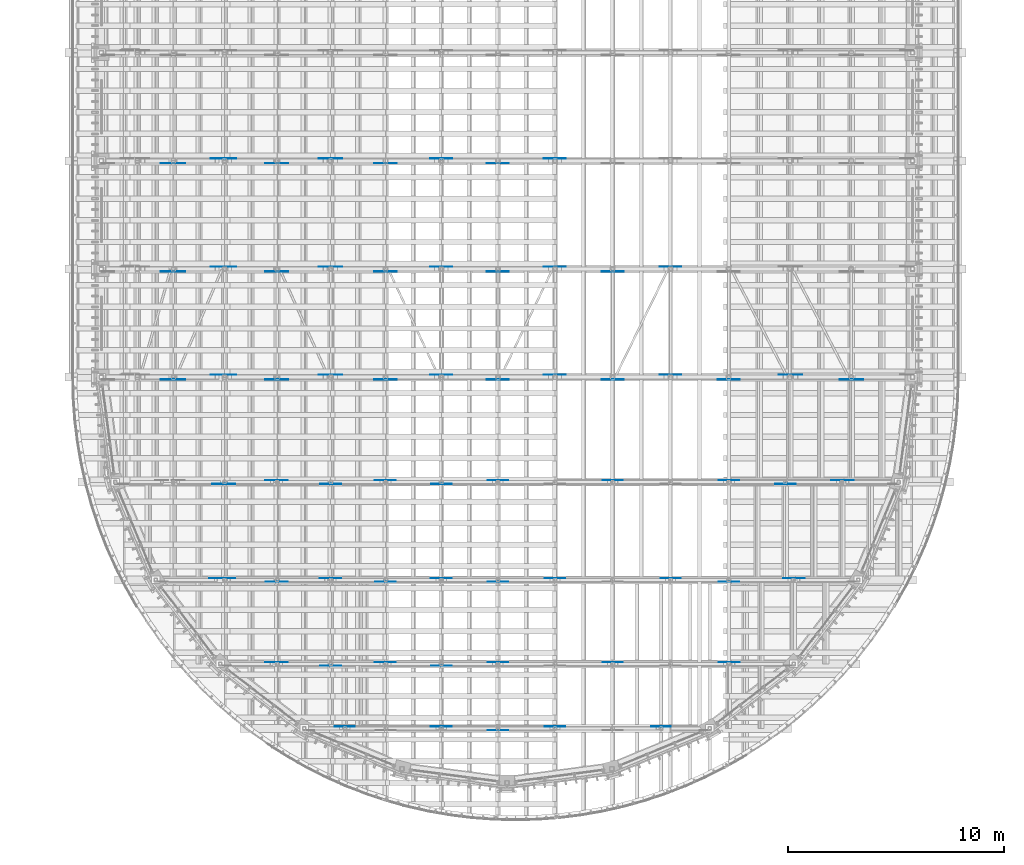
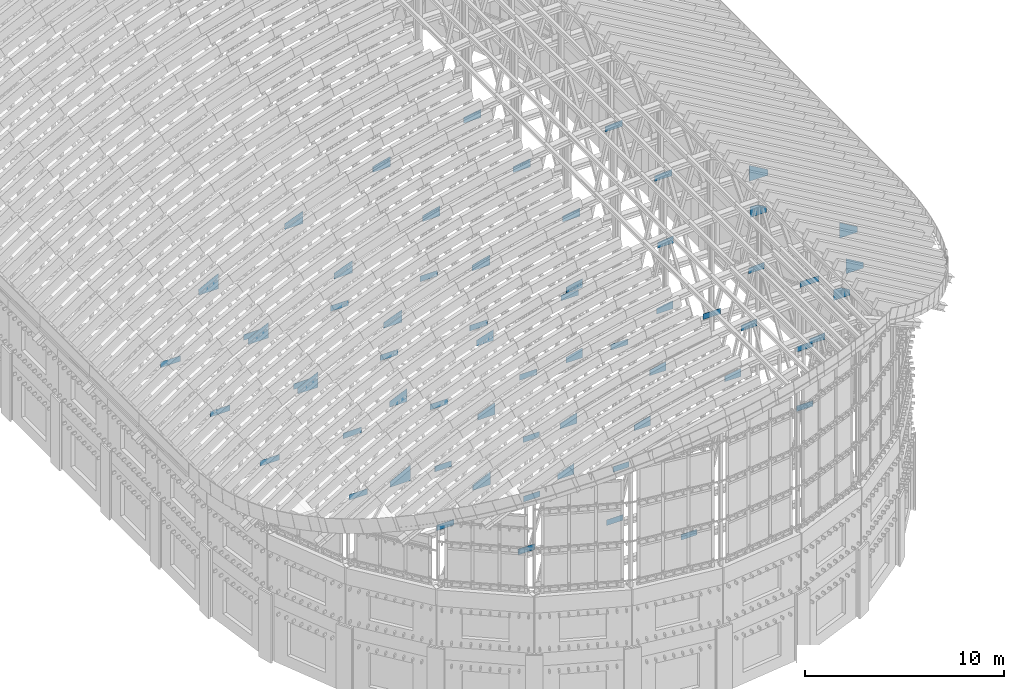
# One storey, part 61 of 105: 63 discrete accessories.
"""IFC4 building model written with IfcOpenShell, lengths in metres."""

from ifc_helpers import new_model, si_unit, direction, frame, origin, place, context, subcontext, project, spatial, polyline, outline, extrude, element, save


model = new_model("IFC4")

# Units and contexts
model_context = context("Model", 3, precision=1e-05, world=origin(), true_north=direction((0.0, 1.0)))
body_context = subcontext(model_context, "Body", "Model", "MODEL_VIEW")
ifc_project = project(units=[si_unit("LENGTHUNIT", "METRE"), si_unit("AREAUNIT", "SQUARE_METRE"), si_unit("VOLUMEUNIT", "CUBIC_METRE"), si_unit("PLANEANGLEUNIT", "RADIAN"), si_unit("MASSUNIT", "GRAM", prefix="KILO")], contexts=[model_context])

# Site, building, storey
site_placement = place(None, origin())
site = spatial("IfcSite", under=ifc_project, at=site_placement, CompositionType="ELEMENT")
building_placement = place(site_placement, origin())
building = spatial("IfcBuilding", under=site, at=building_placement, Name="Wasatch Bagh Community Centre", CompositionType="ELEMENT")
storey_placement = place(building_placement, frame((0.0, 0.0, 16.800048828125)))
storey = spatial("IfcBuildingStorey", under=building, at=storey_placement, Name="L04", CompositionType="ELEMENT", Elevation=16.800048828125)

# Discrete accessories
discrete_accessory_1_placement = place(storey_placement, frame((19.98486328125, 34.885986328125, 8.071044921875), z_axis=(0.0, -1.0, 0.0), x_axis=(1.0, 0.0, 0.0)))
element("IfcDiscreteAccessory", 1, at=discrete_accessory_1_placement, inside=storey, Name="Gusset plate", PredefinedType="BRACKET", context=body_context, shape_type="SweptSolid", body=[
    extrude(outline(polyline([(0.0, 0.0), (1.14990234375, 0.0), (1.14990234375, 0.35009765625), (0.0, 0.35009765625), (0.0, 0.0)])), origin(), (0.0, 0.0, -1.0), 0.011962890625),
])
discrete_accessory_2_placement = place(storey_placement, frame((24.814453125, 34.885986328125, 8.071044921875), z_axis=(0.0, -1.0, 0.0), x_axis=(1.0, 0.0, 0.0)))
element("IfcDiscreteAccessory", 2, at=discrete_accessory_2_placement, inside=storey, Name="Gusset plate", PredefinedType="BRACKET", context=body_context, shape_type="SweptSolid", body=[
    extrude(outline(polyline([(0.0, 0.0), (1.083740234375, 0.0), (1.083740234375, 0.35009765625), (0.0, 0.35009765625), (0.0, 0.0)])), origin(), (0.0, 0.0, -1.0), 0.011962890625),
])
discrete_accessory_3_placement = place(storey_placement, frame((29.8701171875, 34.885986328125, 8.071044921875), z_axis=(0.0, -1.0, 0.0), x_axis=(1.0, 0.0, 0.0)))
element("IfcDiscreteAccessory", 3, at=discrete_accessory_3_placement, inside=storey, Name="Gusset plate", PredefinedType="BRACKET", context=body_context, shape_type="SweptSolid", body=[
    extrude(outline(polyline([(0.0, 0.0), (1.035888671875, 0.0), (1.035888671875, 0.35009765625), (0.0, 0.35009765625), (0.0, 0.0)])), origin(), (0.0, 0.0, -1.0), 0.011962890625),
])
discrete_accessory_4_placement = place(storey_placement, frame((35.073974609375, 34.885986328125, 8.071044921875), z_axis=(0.0, -1.0, 0.0), x_axis=(1.0, 0.0, 0.0)))
element("IfcDiscreteAccessory", 4, at=discrete_accessory_4_placement, inside=storey, Name="Gusset plate", PredefinedType="BRACKET", context=body_context, shape_type="SweptSolid", body=[
    extrude(outline(polyline([(0.0, 0.0), (1.015869140625, 0.0), (1.015869140625, 0.35009765625), (0.0, 0.35009765625), (0.0, 0.0)])), origin(), (0.0, 0.0, -1.0), 0.011962890625),
])
discrete_accessory_5_placement = place(storey_placement, frame((40.384033203125, 34.885986328125, 8.071044921875), z_axis=(0.0, -1.0, 0.0), x_axis=(1.0, 0.0, 0.0)))
element("IfcDiscreteAccessory", 5, at=discrete_accessory_5_placement, inside=storey, Name="Gusset plate", PredefinedType="BRACKET", context=body_context, shape_type="SweptSolid", body=[
    extrude(outline(polyline([(0.0, 0.0), (1.00732421875, 0.0), (1.00732421875, 0.35009765625), (0.0, 0.35009765625), (0.0, 0.0)])), origin(), (0.0, 0.0, -1.0), 0.011962890625),
])
discrete_accessory_6_placement = place(storey_placement, frame((45.747802734375, 34.885986328125, 8.071044921875), z_axis=(0.0, -1.0, 0.0), x_axis=(1.0, 0.0, 0.0)))
element("IfcDiscreteAccessory", 6, at=discrete_accessory_6_placement, inside=storey, Name="Gusset plate", PredefinedType="BRACKET", context=body_context, shape_type="SweptSolid", body=[
    extrude(outline(polyline([(0.0, 0.0), (1.01904296875, 0.0), (1.01904296875, 0.35009765625), (0.0, 0.35009765625), (0.0, 0.0)])), origin(), (0.0, 0.0, -1.0), 0.011962890625),
])
discrete_accessory_7_placement = place(storey_placement, frame((51.3984375, 34.885986328125, 8.071044921875), z_axis=(0.0, -1.0, 0.0), x_axis=(1.0, 0.0, 0.0)))
element("IfcDiscreteAccessory", 7, at=discrete_accessory_7_placement, inside=storey, Name="Gusset plate", PredefinedType="BRACKET", context=body_context, shape_type="SweptSolid", body=[
    extrude(outline(polyline([(0.0, 0.0), (1.083740234375, 0.0), (1.083740234375, 0.35009765625), (0.0, 0.35009765625), (0.0, 0.0)])), origin(), (0.0, 0.0, -1.0), 0.011962890625),
])
discrete_accessory_8_placement = place(storey_placement, frame((22.302490234375, 35.114013671875, 11.925048828125), z_axis=(0.0, 1.0, 0.0), x_axis=(0.88123530685, 0.0, 0.47267783316)))
element("IfcDiscreteAccessory", 8, at=discrete_accessory_8_placement, inside=storey, Name="Gusset plate", PredefinedType="BRACKET", context=body_context, shape_type="SweptSolid", body=[
    extrude(outline(polyline([(0.0, 0.0), (0.7272395189381735, 0.0), (1.3220068813973835, 0.0259097277356114), (0.8719474211132257, 0.8649765482227667), (-0.16548340155063654, 0.3085184155329694), (0.0, 0.0)])), origin(), (0.0, 0.0, -1.0), 0.011962890625),
])
discrete_accessory_9_placement = place(storey_placement, frame((27.30224609375, 35.114013671875, 14.214599609375), z_axis=(0.0, 1.0, 0.0), x_axis=(0.925314460262, 0.0, 0.379200671981)))
element("IfcDiscreteAccessory", 9, at=discrete_accessory_9_placement, inside=storey, Name="Gusset plate", PredefinedType="BRACKET", context=body_context, shape_type="SweptSolid", body=[
    extrude(outline(polyline([(0.0, 0.0), (0.6026245254422946, 0.0), (1.148414289711042, 0.0247286896550164), (0.8592922929832771, 0.7302357842343062), (-0.13266468821994468, 0.32372451698114707), (0.0, 0.0)])), origin(), (0.0, 0.0, -1.0), 0.011962890625),
])
discrete_accessory_10_placement = place(storey_placement, frame((32.444091796875, 35.114013671875, 15.9384765625), z_axis=(0.0, 1.0, 0.0), x_axis=(0.959541831045, 0.0, 0.281566110311)))
element("IfcDiscreteAccessory", 10, at=discrete_accessory_10_placement, inside=storey, Name="Gusset plate", PredefinedType="BRACKET", context=body_context, shape_type="SweptSolid", body=[
    extrude(outline(polyline([(0.0, 0.0), (0.5505964361396236, 0.0), (1.0694922193100176, 0.02479205536379331), (0.8928947248302147, 0.6266140680477204), (-0.09850689357320268, 0.3356990829801742), (0.0, 0.0)])), origin(), (0.0, 0.0, -1.0), 0.011962890625),
])
discrete_accessory_11_placement = place(storey_placement, frame((37.712158203125, 35.114013671875, 17.10888671875), z_axis=(0.0, 1.0, 0.0), x_axis=(0.983614840547, 0.0, 0.180282682076)))
element("IfcDiscreteAccessory", 11, at=discrete_accessory_11_placement, inside=storey, Name="Gusset plate", PredefinedType="BRACKET", context=body_context, shape_type="SweptSolid", body=[
    extrude(outline(polyline([(0.0, 0.0), (0.5227250902032334, 0.0), (1.0289938394058082, 0.024783030615625812), (0.9368278393408399, 0.5276369066177592), (-0.06311654445709872, 0.34436125032810855), (0.0, 0.0)])), origin(), (0.0, 0.0, -1.0), 0.011962890625),
])
discrete_accessory_12_placement = place(storey_placement, frame((43.059326171875, 35.114013671875, 17.7216796875), z_axis=(0.0, 1.0, 0.0), x_axis=(0.997003391419, 0.0, 0.077357853503)))
element("IfcDiscreteAccessory", 12, at=discrete_accessory_12_placement, inside=storey, Name="Gusset plate", PredefinedType="BRACKET", context=body_context, shape_type="SweptSolid", body=[
    extrude(outline(polyline([(0.0, 0.0), (0.5081144168966908, 0.0), (1.0105002169094446, 0.026491700501360058), (0.9794135404285474, 0.4271429657054703), (-0.02708280320389224, 0.3490485506091701), (0.0, 0.0)])), origin(), (0.0, 0.0, -1.0), 0.011962890625),
])
discrete_accessory_13_placement = place(storey_placement, frame((48.56640625, 35.114013671875, 16.436767578125), z_axis=(0.0, 1.0, 0.0), x_axis=(0.865538231451, 0.0, -0.500842859484)))
element("IfcDiscreteAccessory", 13, at=discrete_accessory_13_placement, inside=storey, Name="Gusset plate", PredefinedType="BRACKET", context=body_context, shape_type="SweptSolid", body=[
    extrude(outline(polyline([(0.0, 0.0), (0.5971379245240133, 0.0), (1.25255662563071, 0.0032267911189696186), (1.427900536885637, 0.30624969734483143), (0.49093849629604763, 0.8484218748234554), (0.0, 0.0)])), origin(), (0.0, 0.0, -1.0), 0.011962890625),
])
discrete_accessory_14_placement = place(storey_placement, frame((19.98486328125, 39.885986328125, 8.071044921875), z_axis=(0.0, -1.0, 0.0), x_axis=(1.0, 0.0, 0.0)))
element("IfcDiscreteAccessory", 14, at=discrete_accessory_14_placement, inside=storey, Name="Gusset plate", PredefinedType="BRACKET", context=body_context, shape_type="SweptSolid", body=[
    extrude(outline(polyline([(0.0, 0.0), (1.14990234375, 0.0), (1.14990234375, 0.35009765625), (0.0, 0.35009765625), (0.0, 0.0)])), origin(), (0.0, 0.0, -1.0), 0.011962890625),
])
discrete_accessory_15_placement = place(storey_placement, frame((24.814453125, 39.885986328125, 8.071044921875), z_axis=(0.0, -1.0, 0.0), x_axis=(1.0, 0.0, 0.0)))
element("IfcDiscreteAccessory", 15, at=discrete_accessory_15_placement, inside=storey, Name="Gusset plate", PredefinedType="BRACKET", context=body_context, shape_type="SweptSolid", body=[
    extrude(outline(polyline([(0.0, 0.0), (1.083740234375, 0.0), (1.083740234375, 0.35009765625), (0.0, 0.35009765625), (0.0, 0.0)])), origin(), (0.0, 0.0, -1.0), 0.011962890625),
])
discrete_accessory_16_placement = place(storey_placement, frame((29.8701171875, 39.885986328125, 8.071044921875), z_axis=(0.0, -1.0, 0.0), x_axis=(1.0, 0.0, 0.0)))
element("IfcDiscreteAccessory", 16, at=discrete_accessory_16_placement, inside=storey, Name="Gusset plate", PredefinedType="BRACKET", context=body_context, shape_type="SweptSolid", body=[
    extrude(outline(polyline([(0.0, 0.0), (1.035888671875, 0.0), (1.035888671875, 0.35009765625), (0.0, 0.35009765625), (0.0, 0.0)])), origin(), (0.0, 0.0, -1.0), 0.011962890625),
])
discrete_accessory_17_placement = place(storey_placement, frame((35.073974609375, 39.885986328125, 8.071044921875), z_axis=(0.0, -1.0, 0.0), x_axis=(1.0, 0.0, 0.0)))
element("IfcDiscreteAccessory", 17, at=discrete_accessory_17_placement, inside=storey, Name="Gusset plate", PredefinedType="BRACKET", context=body_context, shape_type="SweptSolid", body=[
    extrude(outline(polyline([(0.0, 0.0), (1.015869140625, 0.0), (1.015869140625, 0.35009765625), (0.0, 0.35009765625), (0.0, 0.0)])), origin(), (0.0, 0.0, -1.0), 0.011962890625),
])
discrete_accessory_18_placement = place(storey_placement, frame((40.384033203125, 39.885986328125, 8.071044921875), z_axis=(0.0, -1.0, 0.0), x_axis=(1.0, 0.0, 0.0)))
element("IfcDiscreteAccessory", 18, at=discrete_accessory_18_placement, inside=storey, Name="Gusset plate", PredefinedType="BRACKET", context=body_context, shape_type="SweptSolid", body=[
    extrude(outline(polyline([(0.0, 0.0), (1.00732421875, 0.0), (1.00732421875, 0.35009765625), (0.0, 0.35009765625), (0.0, 0.0)])), origin(), (0.0, 0.0, -1.0), 0.011962890625),
])
discrete_accessory_19_placement = place(storey_placement, frame((22.302490234375, 40.114013671875, 11.925048828125), z_axis=(0.0, 1.0, 0.0), x_axis=(0.88123530685, 0.0, 0.47267783316)))
element("IfcDiscreteAccessory", 19, at=discrete_accessory_19_placement, inside=storey, Name="Gusset plate", PredefinedType="BRACKET", context=body_context, shape_type="SweptSolid", body=[
    extrude(outline(polyline([(0.0, 0.0), (0.7272395189381735, 0.0), (1.3220068813973835, 0.0259097277356114), (0.8719474211132257, 0.8649765482227667), (-0.16548340155063654, 0.3085184155329694), (0.0, 0.0)])), origin(), (0.0, 0.0, -1.0), 0.011962890625),
])
discrete_accessory_20_placement = place(storey_placement, frame((27.30224609375, 40.114013671875, 14.214599609375), z_axis=(0.0, 1.0, 0.0), x_axis=(0.925314460262, 0.0, 0.379200671981)))
element("IfcDiscreteAccessory", 20, at=discrete_accessory_20_placement, inside=storey, Name="Gusset plate", PredefinedType="BRACKET", context=body_context, shape_type="SweptSolid", body=[
    extrude(outline(polyline([(0.0, 0.0), (0.6026245254422946, 0.0), (1.148414289711042, 0.0247286896550164), (0.8592922929832771, 0.7302357842343062), (-0.13266468821994468, 0.32372451698114707), (0.0, 0.0)])), origin(), (0.0, 0.0, -1.0), 0.011962890625),
])
discrete_accessory_21_placement = place(storey_placement, frame((32.444091796875, 40.114013671875, 15.9384765625), z_axis=(0.0, 1.0, 0.0), x_axis=(0.959541831045, 0.0, 0.281566110311)))
element("IfcDiscreteAccessory", 21, at=discrete_accessory_21_placement, inside=storey, Name="Gusset plate", PredefinedType="BRACKET", context=body_context, shape_type="SweptSolid", body=[
    extrude(outline(polyline([(0.0, 0.0), (0.5505964361396236, 0.0), (1.0694922193100176, 0.02479205536379331), (0.8928947248302147, 0.6266140680477204), (-0.09850689357320268, 0.3356990829801742), (0.0, 0.0)])), origin(), (0.0, 0.0, -1.0), 0.011962890625),
])
discrete_accessory_22_placement = place(storey_placement, frame((37.712158203125, 40.114013671875, 17.10888671875), z_axis=(0.0, 1.0, 0.0), x_axis=(0.983614840547, 0.0, 0.180282682076)))
element("IfcDiscreteAccessory", 22, at=discrete_accessory_22_placement, inside=storey, Name="Gusset plate", PredefinedType="BRACKET", context=body_context, shape_type="SweptSolid", body=[
    extrude(outline(polyline([(0.0, 0.0), (0.5227250902032334, 0.0), (1.0289938394058082, 0.024783030615625812), (0.9368278393408399, 0.5276369066177592), (-0.06311654445709872, 0.34436125032810855), (0.0, 0.0)])), origin(), (0.0, 0.0, -1.0), 0.011962890625),
])
discrete_accessory_23_placement = place(storey_placement, frame((43.059326171875, 40.114013671875, 17.7216796875), z_axis=(0.0, 1.0, 0.0), x_axis=(0.997003391419, 0.0, 0.077357853503)))
element("IfcDiscreteAccessory", 23, at=discrete_accessory_23_placement, inside=storey, Name="Gusset plate", PredefinedType="BRACKET", context=body_context, shape_type="SweptSolid", body=[
    extrude(outline(polyline([(0.0, 0.0), (0.5081144168966908, 0.0), (1.0105002169094446, 0.026491700501360058), (0.9794135404285474, 0.4271429657054703), (-0.02708280320389224, 0.3490485506091701), (0.0, 0.0)])), origin(), (0.0, 0.0, -1.0), 0.011962890625),
])
discrete_accessory_24_placement = place(storey_placement, frame((19.98486328125, 44.885986328125, 8.071044921875), z_axis=(0.0, -1.0, 0.0), x_axis=(1.0, 0.0, 0.0)))
element("IfcDiscreteAccessory", 24, at=discrete_accessory_24_placement, inside=storey, Name="Gusset plate", PredefinedType="BRACKET", context=body_context, shape_type="SweptSolid", body=[
    extrude(outline(polyline([(0.0, 0.0), (1.14990234375, 0.0), (1.14990234375, 0.35009765625), (0.0, 0.35009765625), (0.0, 0.0)])), origin(), (0.0, 0.0, -1.0), 0.011962890625),
])
discrete_accessory_25_placement = place(storey_placement, frame((24.814453125, 44.885986328125, 8.071044921875), z_axis=(0.0, -1.0, 0.0), x_axis=(1.0, 0.0, 0.0)))
element("IfcDiscreteAccessory", 25, at=discrete_accessory_25_placement, inside=storey, Name="Gusset plate", PredefinedType="BRACKET", context=body_context, shape_type="SweptSolid", body=[
    extrude(outline(polyline([(0.0, 0.0), (1.083740234375, 0.0), (1.083740234375, 0.35009765625), (0.0, 0.35009765625), (0.0, 0.0)])), origin(), (0.0, 0.0, -1.0), 0.011962890625),
])
discrete_accessory_26_placement = place(storey_placement, frame((29.8701171875, 44.885986328125, 8.071044921875), z_axis=(0.0, -1.0, 0.0), x_axis=(1.0, 0.0, 0.0)))
element("IfcDiscreteAccessory", 26, at=discrete_accessory_26_placement, inside=storey, Name="Gusset plate", PredefinedType="BRACKET", context=body_context, shape_type="SweptSolid", body=[
    extrude(outline(polyline([(0.0, 0.0), (1.035888671875, 0.0), (1.035888671875, 0.35009765625), (0.0, 0.35009765625), (0.0, 0.0)])), origin(), (0.0, 0.0, -1.0), 0.011962890625),
])
discrete_accessory_27_placement = place(storey_placement, frame((35.073974609375, 44.885986328125, 8.071044921875), z_axis=(0.0, -1.0, 0.0), x_axis=(1.0, 0.0, 0.0)))
element("IfcDiscreteAccessory", 27, at=discrete_accessory_27_placement, inside=storey, Name="Gusset plate", PredefinedType="BRACKET", context=body_context, shape_type="SweptSolid", body=[
    extrude(outline(polyline([(0.0, 0.0), (1.015869140625, 0.0), (1.015869140625, 0.35009765625), (0.0, 0.35009765625), (0.0, 0.0)])), origin(), (0.0, 0.0, -1.0), 0.011962890625),
])
discrete_accessory_28_placement = place(storey_placement, frame((22.302490234375, 45.114013671875, 11.925048828125), z_axis=(0.0, 1.0, 0.0), x_axis=(0.88123530685, 0.0, 0.47267783316)))
element("IfcDiscreteAccessory", 28, at=discrete_accessory_28_placement, inside=storey, Name="Gusset plate", PredefinedType="BRACKET", context=body_context, shape_type="SweptSolid", body=[
    extrude(outline(polyline([(0.0, 0.0), (0.7272395189381735, 0.0), (1.3220068813973835, 0.0259097277356114), (0.8719474211132257, 0.8649765482227667), (-0.16548340155063654, 0.3085184155329694), (0.0, 0.0)])), origin(), (0.0, 0.0, -1.0), 0.011962890625),
])
discrete_accessory_29_placement = place(storey_placement, frame((27.30224609375, 45.114013671875, 14.214599609375), z_axis=(0.0, 1.0, 0.0), x_axis=(0.925314460262, 0.0, 0.379200671981)))
element("IfcDiscreteAccessory", 29, at=discrete_accessory_29_placement, inside=storey, Name="Gusset plate", PredefinedType="BRACKET", context=body_context, shape_type="SweptSolid", body=[
    extrude(outline(polyline([(0.0, 0.0), (0.6026245254422946, 0.0), (1.148414289711042, 0.0247286896550164), (0.8592922929832771, 0.7302357842343062), (-0.13266468821994468, 0.32372451698114707), (0.0, 0.0)])), origin(), (0.0, 0.0, -1.0), 0.011962890625),
])
discrete_accessory_30_placement = place(storey_placement, frame((32.444091796875, 45.114013671875, 15.9384765625), z_axis=(0.0, 1.0, 0.0), x_axis=(0.959541831045, 0.0, 0.281566110311)))
element("IfcDiscreteAccessory", 30, at=discrete_accessory_30_placement, inside=storey, Name="Gusset plate", PredefinedType="BRACKET", context=body_context, shape_type="SweptSolid", body=[
    extrude(outline(polyline([(0.0, 0.0), (0.5505964361396236, 0.0), (1.0694922193100176, 0.02479205536379331), (0.8928947248302147, 0.6266140680477204), (-0.09850689357320268, 0.3356990829801742), (0.0, 0.0)])), origin(), (0.0, 0.0, -1.0), 0.011962890625),
])
discrete_accessory_31_placement = place(storey_placement, frame((37.712158203125, 45.114013671875, 17.10888671875), z_axis=(0.0, 1.0, 0.0), x_axis=(0.983614840547, 0.0, 0.180282682076)))
element("IfcDiscreteAccessory", 31, at=discrete_accessory_31_placement, inside=storey, Name="Gusset plate", PredefinedType="BRACKET", context=body_context, shape_type="SweptSolid", body=[
    extrude(outline(polyline([(0.0, 0.0), (0.5227250902032334, 0.0), (1.0289938394058082, 0.024783030615625812), (0.9368278393408399, 0.5276369066177592), (-0.06311654445709872, 0.34436125032810855), (0.0, 0.0)])), origin(), (0.0, 0.0, -1.0), 0.011962890625),
])
discrete_accessory_32_placement = place(storey_placement, frame((22.383056640625, 30.058349609375, 8.071044921875), z_axis=(0.0, -1.0, 0.0), x_axis=(1.0, 0.0, 0.0)))
element("IfcDiscreteAccessory", 32, at=discrete_accessory_32_placement, inside=storey, Name="Gusset plate", PredefinedType="BRACKET", context=body_context, shape_type="SweptSolid", body=[
    extrude(outline(polyline([(0.0, 0.0), (1.057861328125, 0.0), (1.057861328125, 0.35009765625), (0.0, 0.35009765625), (0.0, 0.0)])), origin(), (0.0, 0.0, -1.0), 0.011962890625),
])
discrete_accessory_33_placement = place(storey_placement, frame((27.361572265625, 30.058349609375, 8.071044921875), z_axis=(0.0, -1.0, 0.0), x_axis=(1.0, 0.0, 0.0)))
element("IfcDiscreteAccessory", 33, at=discrete_accessory_33_placement, inside=storey, Name="Gusset plate", PredefinedType="BRACKET", context=body_context, shape_type="SweptSolid", body=[
    extrude(outline(polyline([(0.0, 0.0), (0.975830078125, 0.0), (0.975830078125, 0.35009765625), (0.0, 0.35009765625), (0.0, 0.0)])), origin(), (0.0, 0.0, -1.0), 0.011962890625),
])
discrete_accessory_34_placement = place(storey_placement, frame((32.494384765625, 30.058349609375, 8.071044921875), z_axis=(0.0, -1.0, 0.0), x_axis=(1.0, 0.0, 0.0)))
element("IfcDiscreteAccessory", 34, at=discrete_accessory_34_placement, inside=storey, Name="Gusset plate", PredefinedType="BRACKET", context=body_context, shape_type="SweptSolid", body=[
    extrude(outline(polyline([(0.0, 0.0), (0.94677734375, 0.0), (0.94677734375, 0.35009765625), (0.0, 0.35009765625), (0.0, 0.0)])), origin(), (0.0, 0.0, -1.0), 0.011962890625),
])
discrete_accessory_35_placement = place(storey_placement, frame((48.40771484375, 30.058349609375, 8.071044921875), z_axis=(0.0, -1.0, 0.0), x_axis=(1.0, 0.0, 0.0)))
element("IfcDiscreteAccessory", 35, at=discrete_accessory_35_placement, inside=storey, Name="Gusset plate", PredefinedType="BRACKET", context=body_context, shape_type="SweptSolid", body=[
    extrude(outline(polyline([(0.0, 0.0), (0.947509765625, 0.0), (0.947509765625, 0.35009765625), (0.0, 0.35009765625), (0.0, 0.0)])), origin(), (0.0, 0.0, -1.0), 0.011962890625),
])
discrete_accessory_36_placement = place(storey_placement, frame((24.833984375, 30.23583984375, 13.1796875), z_axis=(0.0, 1.0, 0.0), x_axis=(0.904419680261, 0.0, 0.426643928771)))
element("IfcDiscreteAccessory", 36, at=discrete_accessory_36_placement, inside=storey, Name="Gusset plate", PredefinedType="BRACKET", context=body_context, shape_type="SweptSolid", body=[
    extrude(outline(polyline([(0.0, 0.0), (0.5968411940343104, 2.7755575615628914e-17), (1.1202816578865034, 0.023411983327647323), (0.7760291714150194, 0.7531744450615406), (-0.14936703951591765, 0.31663521032568925), (0.0, 0.0)])), origin(), (0.0, 0.0, -1.0), 0.011962890625),
])
discrete_accessory_37_placement = place(storey_placement, frame((29.898193359375, 30.23583984375, 15.17431640625), z_axis=(0.0, 1.0, 0.0), x_axis=(0.943749854034, 0.0, 0.330660268268)))
element("IfcDiscreteAccessory", 37, at=discrete_accessory_37_placement, inside=storey, Name="Gusset plate", PredefinedType="BRACKET", context=body_context, shape_type="SweptSolid", body=[
    extrude(outline(polyline([(0.0, 0.0), (0.5264384092368144, 0.0), (1.0157810688987814, 0.02244363273640171), (0.7959598016881677, 0.6498437432183073), (-0.11576338493573998, 0.33040461198349347), (0.0, 0.0)])), origin(), (0.0, 0.0, -1.0), 0.011962890625),
])
discrete_accessory_38_placement = place(storey_placement, frame((35.106689453125, 30.23583984375, 16.615966796875), z_axis=(0.0, 1.0, 0.0), x_axis=(0.972880725955, 0.0, 0.231307356273)))
element("IfcDiscreteAccessory", 38, at=discrete_accessory_38_placement, inside=storey, Name="Gusset plate", PredefinedType="BRACKET", context=body_context, shape_type="SweptSolid", body=[
    extrude(outline(polyline([(0.0, 0.0), (0.4918543581284864, 1.3877787807814457e-17), (0.9634831859783247, 0.022795348104226315), (0.836139902678674, 0.5584022907379506), (-0.08092369178199538, 0.3403657422590363), (0.0, 0.0)])), origin(), (0.0, 0.0, -1.0), 0.011962890625),
])
discrete_accessory_39_placement = place(storey_placement, frame((40.419921875, 30.23583984375, 17.503173828125), z_axis=(0.0, 1.0, 0.0), x_axis=(0.991646380656, 0.0, 0.128986261792)))
element("IfcDiscreteAccessory", 39, at=discrete_accessory_39_placement, inside=storey, Name="Gusset plate", PredefinedType="BRACKET", context=body_context, shape_type="SweptSolid", body=[
    extrude(outline(polyline([(0.0, 0.0), (0.4731911399095677, 0.0), (0.9367594512221302, 0.022875663143541308), (0.8789423670790653, 0.46737340603542477), (-0.045157787941805645, 0.3471730736966018), (0.0, 0.0)])), origin(), (0.0, 0.0, -1.0), 0.011962890625),
])
discrete_accessory_40_placement = place(storey_placement, frame((45.78564453125, 30.23583984375, 17.8271484375), z_axis=(0.0, 1.0, 0.0), x_axis=(0.996610498388, 0.0, -0.082264904441)))
element("IfcDiscreteAccessory", 40, at=discrete_accessory_40_placement, inside=storey, Name="Gusset plate", PredefinedType="BRACKET", context=body_context, shape_type="SweptSolid", body=[
    extrude(outline(polyline([(0.0, 0.0), (0.4659347553543316, 0.0), (0.9831356597317429, 0.2441687994388374), (1.0119364099681936, 0.5930797991186422), (0.05547257472320572, 0.6720308097040592), (0.0, 0.0)])), origin(), (0.0, 0.0, -1.0), 0.011962890625),
])
discrete_accessory_41_placement = place(storey_placement, frame((51.0048828125, 30.23583984375, 15.02490234375), z_axis=(0.0, 1.0, 0.0), x_axis=(0.862991411433, 0.0, -0.50521859011)))
element("IfcDiscreteAccessory", 41, at=discrete_accessory_41_placement, inside=storey, Name="Gusset plate", PredefinedType="BRACKET", context=body_context, shape_type="SweptSolid", body=[
    extrude(outline(polyline([(0.0, 0.0), (0.5629718179272423, 2.7755575615628914e-17), (1.1921435716748974, 2.1175001262419e-06), (1.369019415966422, 0.30213338800667877), (0.4811664355517691, 0.8219066152343524), (0.0, 0.0)])), origin(), (0.0, 0.0, -1.0), 0.011962890625),
])
discrete_accessory_42_placement = place(storey_placement, frame((24.854736328125, 25.536376953125, 8.071044921875), z_axis=(0.0, -1.0, 0.0), x_axis=(1.0, 0.0, 0.0)))
element("IfcDiscreteAccessory", 42, at=discrete_accessory_42_placement, inside=storey, Name="Gusset plate", PredefinedType="BRACKET", context=body_context, shape_type="SweptSolid", body=[
    extrude(outline(polyline([(0.0, 0.0), (1.00439453125, 0.0), (1.00439453125, 0.35009765625), (0.0, 0.35009765625), (0.0, 0.0)])), origin(), (0.0, 0.0, -1.0), 0.011962890625),
])
discrete_accessory_43_placement = place(storey_placement, frame((29.908935546875, 25.536376953125, 8.071044921875), z_axis=(0.0, -1.0, 0.0), x_axis=(1.0, 0.0, 0.0)))
element("IfcDiscreteAccessory", 43, at=discrete_accessory_43_placement, inside=storey, Name="Gusset plate", PredefinedType="BRACKET", context=body_context, shape_type="SweptSolid", body=[
    extrude(outline(polyline([(0.0, 0.0), (0.95849609375, 0.0), (0.95849609375, 0.35009765625), (0.0, 0.35009765625), (0.0, 0.0)])), origin(), (0.0, 0.0, -1.0), 0.011962890625),
])
discrete_accessory_44_placement = place(storey_placement, frame((35.1123046875, 25.536376953125, 8.071044921875), z_axis=(0.0, -1.0, 0.0), x_axis=(1.0, 0.0, 0.0)))
element("IfcDiscreteAccessory", 44, at=discrete_accessory_44_placement, inside=storey, Name="Gusset plate", PredefinedType="BRACKET", context=body_context, shape_type="SweptSolid", body=[
    extrude(outline(polyline([(0.0, 0.0), (0.939208984375, 0.0), (0.939208984375, 0.35009765625), (0.0, 0.35009765625), (0.0, 0.0)])), origin(), (0.0, 0.0, -1.0), 0.011962890625),
])
discrete_accessory_45_placement = place(storey_placement, frame((45.7861328125, 25.536376953125, 8.071044921875), z_axis=(0.0, -1.0, 0.0), x_axis=(1.0, 0.0, 0.0)))
element("IfcDiscreteAccessory", 45, at=discrete_accessory_45_placement, inside=storey, Name="Gusset plate", PredefinedType="BRACKET", context=body_context, shape_type="SweptSolid", body=[
    extrude(outline(polyline([(0.0, 0.0), (0.947021484375, 0.0), (0.947021484375, 0.35009765625), (0.0, 0.35009765625), (0.0, 0.0)])), origin(), (0.0, 0.0, -1.0), 0.011962890625),
])
discrete_accessory_46_placement = place(storey_placement, frame((22.243896484375, 25.713623046875, 11.907958984375), z_axis=(0.0, 1.0, 0.0), x_axis=(0.881200895897, 0.0, 0.472741981498)))
element("IfcDiscreteAccessory", 46, at=discrete_accessory_46_placement, inside=storey, Name="Gusset plate", PredefinedType="BRACKET", context=body_context, shape_type="SweptSolid", body=[
    extrude(outline(polyline([(0.0, 0.0), (0.7937609844499007, 0.0), (1.3436959013085235, 0.023789865073385874), (0.8878045861427897, 0.8735807680986476), (-0.1655058597335854, 0.30850636833879125), (0.0, 0.0)])), origin(), (0.0, 0.0, -1.0), 0.011962890625),
])
discrete_accessory_47_placement = place(storey_placement, frame((27.3466796875, 25.713623046875, 14.24658203125), z_axis=(0.0, 1.0, 0.0), x_axis=(0.925378561705, 0.0, 0.379044215808)))
element("IfcDiscreteAccessory", 47, at=discrete_accessory_47_placement, inside=storey, Name="Gusset plate", PredefinedType="BRACKET", context=body_context, shape_type="SweptSolid", body=[
    extrude(outline(polyline([(0.0, 0.0), (0.5545661148715295, 0.0), (1.0583932820389785, 0.022748418163933914), (0.7816984077066997, 0.6982566944083588), (-0.13260995147764396, 0.32374694309640834), (0.0, 0.0)])), origin(), (0.0, 0.0, -1.0), 0.011962890625),
])
discrete_accessory_48_placement = place(storey_placement, frame((32.486328125, 25.713623046875, 15.964111328125), z_axis=(0.0, 1.0, 0.0), x_axis=(0.959572452853, 0.0, 0.281461734036)))
element("IfcDiscreteAccessory", 48, at=discrete_accessory_48_placement, inside=storey, Name="Gusset plate", PredefinedType="BRACKET", context=body_context, shape_type="SweptSolid", body=[
    extrude(outline(polyline([(0.0, 0.0), (0.5065630874771581, 0.0), (0.9856013187647962, 0.0227120128428209), (0.815185034485128, 0.6037031464058675), (-0.09847037716643726, 0.3357097961273572), (0.0, 0.0)])), origin(), (0.0, 0.0, -1.0), 0.011962890625),
])
discrete_accessory_49_placement = place(storey_placement, frame((37.753173828125, 25.713623046875, 17.129150390625), z_axis=(0.0, 1.0, 0.0), x_axis=(0.983543485497, 0.0, 0.180671558739)))
element("IfcDiscreteAccessory", 49, at=discrete_accessory_49_placement, inside=storey, Name="Gusset plate", PredefinedType="BRACKET", context=body_context, shape_type="SweptSolid", body=[
    extrude(outline(polyline([(0.0, 0.0), (0.4810611205574985, -1.3877787807814457e-17), (0.9477339468143362, 0.022924180932088256), (0.8576628230483057, 0.5132551861527823), (-0.06320857999839456, 0.34409614617103557), (0.0, 0.0)])), origin(), (0.0, 0.0, -1.0), 0.011962890625),
])
discrete_accessory_50_placement = place(storey_placement, frame((43.099609375, 25.713623046875, 17.737548828125), z_axis=(0.0, 1.0, 0.0), x_axis=(0.997011341026, 0.0, 0.077255329043)))
element("IfcDiscreteAccessory", 50, at=discrete_accessory_50_placement, inside=storey, Name="Gusset plate", PredefinedType="BRACKET", context=body_context, shape_type="SweptSolid", body=[
    extrude(outline(polyline([(0.0, 0.0), (0.46770640870557106, 0.0), (0.9305869081519527, 0.02435817419314274), (0.8998620714793922, 0.4208746474674026), (-0.027046909630725403, 0.34905133374787517), (0.0, 0.0)])), origin(), (0.0, 0.0, -1.0), 0.011962890625),
])
discrete_accessory_51_placement = place(storey_placement, frame((48.764892578125, 25.713623046875, 16.3369140625), z_axis=(0.0, 1.0, 0.0), x_axis=(0.865406152333, 0.0, -0.501071044368)))
element("IfcDiscreteAccessory", 51, at=discrete_accessory_51_placement, inside=storey, Name="Gusset plate", PredefinedType="BRACKET", context=body_context, shape_type="SweptSolid", body=[
    extrude(outline(polyline([(0.0, 0.0), (0.5535018499217697, 0.0), (1.16709790334497, 0.002444051484224441), (1.3425217015929964, 0.30542071712034047), (0.46950944049925064, 0.8108957062143748), (0.0, 0.0)])), origin(), (0.0, 0.0, -1.0), 0.011962890625),
])
discrete_accessory_52_placement = place(storey_placement, frame((27.361572265625, 21.653076171875, 8.071044921875), z_axis=(0.0, -1.0, 0.0), x_axis=(1.0, 0.0, 0.0)))
element("IfcDiscreteAccessory", 52, at=discrete_accessory_52_placement, inside=storey, Name="Gusset plate", PredefinedType="BRACKET", context=body_context, shape_type="SweptSolid", body=[
    extrude(outline(polyline([(0.0, 0.0), (0.975830078125, 0.0), (0.975830078125, 0.35009765625), (0.0, 0.35009765625), (0.0, 0.0)])), origin(), (0.0, 0.0, -1.0), 0.011962890625),
])
discrete_accessory_53_placement = place(storey_placement, frame((32.494384765625, 21.653076171875, 8.071044921875), z_axis=(0.0, -1.0, 0.0), x_axis=(1.0, 0.0, 0.0)))
element("IfcDiscreteAccessory", 53, at=discrete_accessory_53_placement, inside=storey, Name="Gusset plate", PredefinedType="BRACKET", context=body_context, shape_type="SweptSolid", body=[
    extrude(outline(polyline([(0.0, 0.0), (0.94677734375, 0.0), (0.94677734375, 0.35009765625), (0.0, 0.35009765625), (0.0, 0.0)])), origin(), (0.0, 0.0, -1.0), 0.011962890625),
])
discrete_accessory_54_placement = place(storey_placement, frame((24.818603515625, 21.83056640625, 13.17236328125), z_axis=(0.0, 1.0, 0.0), x_axis=(0.90437657366, 0.0, 0.426735296191)))
element("IfcDiscreteAccessory", 54, at=discrete_accessory_54_placement, inside=storey, Name="Gusset plate", PredefinedType="BRACKET", context=body_context, shape_type="SweptSolid", body=[
    extrude(outline(polyline([(0.0, 0.0), (0.6138767825477305, 0.0), (1.1373148785176412, 0.023464864127613616), (0.7899673498313002, 0.7595956005980136), (-0.14929484361353523, 0.3163993237438762), (0.0, 0.0)])), origin(), (0.0, 0.0, -1.0), 0.011962890625),
])
discrete_accessory_55_placement = place(storey_placement, frame((29.898193359375, 21.83056640625, 15.17431640625), z_axis=(0.0, 1.0, 0.0), x_axis=(0.943749854034, 0.0, 0.330660268268)))
element("IfcDiscreteAccessory", 55, at=discrete_accessory_55_placement, inside=storey, Name="Gusset plate", PredefinedType="BRACKET", context=body_context, shape_type="SweptSolid", body=[
    extrude(outline(polyline([(0.0, 0.0), (0.5264384092368144, 0.0), (1.0157810688987814, 0.02244363273640171), (0.7959598016881677, 0.6498437432183073), (-0.11576338493573998, 0.33040461198349347), (0.0, 0.0)])), origin(), (0.0, 0.0, -1.0), 0.011962890625),
])
discrete_accessory_56_placement = place(storey_placement, frame((35.106689453125, 21.83056640625, 16.615966796875), z_axis=(0.0, 1.0, 0.0), x_axis=(0.972880725955, 0.0, 0.231307356273)))
element("IfcDiscreteAccessory", 56, at=discrete_accessory_56_placement, inside=storey, Name="Gusset plate", PredefinedType="BRACKET", context=body_context, shape_type="SweptSolid", body=[
    extrude(outline(polyline([(0.0, 0.0), (0.4918543581284864, 1.3877787807814457e-17), (0.9634831859783247, 0.022795348104226315), (0.836139902678674, 0.5584022907379506), (-0.08092369178199538, 0.3403657422590363), (0.0, 0.0)])), origin(), (0.0, 0.0, -1.0), 0.011962890625),
])
discrete_accessory_57_placement = place(storey_placement, frame((40.419921875, 21.83056640625, 17.503173828125), z_axis=(0.0, 1.0, 0.0), x_axis=(0.991646380656, 0.0, 0.128986261792)))
element("IfcDiscreteAccessory", 57, at=discrete_accessory_57_placement, inside=storey, Name="Gusset plate", PredefinedType="BRACKET", context=body_context, shape_type="SweptSolid", body=[
    extrude(outline(polyline([(0.0, 0.0), (0.4731911399095677, 0.0), (0.9367594512221302, 0.022875663143541308), (0.8789423670790653, 0.46737340603542477), (-0.045157787941805645, 0.3471730736966018), (0.0, 0.0)])), origin(), (0.0, 0.0, -1.0), 0.011962890625),
])
discrete_accessory_58_placement = place(storey_placement, frame((45.78564453125, 21.83056640625, 17.8271484375), z_axis=(0.0, 1.0, 0.0), x_axis=(0.996610498388, 0.0, -0.082264904441)))
element("IfcDiscreteAccessory", 58, at=discrete_accessory_58_placement, inside=storey, Name="Gusset plate", PredefinedType="BRACKET", context=body_context, shape_type="SweptSolid", body=[
    extrude(outline(polyline([(0.0, 0.0), (0.4659347553543316, 0.0), (1.000220922101177, 0.25231236897975107), (1.0290216723376278, 0.6012233686595558), (0.05625585872545229, 0.681520020992422), (0.0, 0.0)])), origin(), (0.0, 0.0, -1.0), 0.011962890625),
])
discrete_accessory_59_placement = place(storey_placement, frame((35.1123046875, 18.67333984375, 8.071044921875), z_axis=(0.0, -1.0, 0.0), x_axis=(1.0, 0.0, 0.0)))
element("IfcDiscreteAccessory", 59, at=discrete_accessory_59_placement, inside=storey, Name="Gusset plate", PredefinedType="BRACKET", context=body_context, shape_type="SweptSolid", body=[
    extrude(outline(polyline([(0.0, 0.0), (0.939208984375, 0.0), (0.939208984375, 0.35009765625), (0.0, 0.35009765625), (0.0, 0.0)])), origin(), (0.0, 0.0, -1.0), 0.011962890625),
])
discrete_accessory_60_placement = place(storey_placement, frame((28.033447265625, 18.850830078125, 14.521484375), z_axis=(0.0, 1.0, 0.0), x_axis=(0.943435625525, 0.0, 0.331555757741)))
element("IfcDiscreteAccessory", 60, at=discrete_accessory_60_placement, inside=storey, Name="Gusset plate", PredefinedType="BRACKET", context=body_context, shape_type="SweptSolid", body=[
    extrude(outline(polyline([(0.0, 0.0), (0.5051351540122403, 0.0), (0.9914199842318755, 0.0006211384173235857), (0.7665513575219878, 0.640480554361494), (-0.11607689370121636, 0.33029460131891303), (0.0, 0.0)])), origin(), (0.0, 0.0, -1.0), 0.011962890625),
])
discrete_accessory_61_placement = place(storey_placement, frame((32.486328125, 18.850830078125, 15.964111328125), z_axis=(0.0, 1.0, 0.0), x_axis=(0.959572452853, 0.0, 0.281461734036)))
element("IfcDiscreteAccessory", 61, at=discrete_accessory_61_placement, inside=storey, Name="Gusset plate", PredefinedType="BRACKET", context=body_context, shape_type="SweptSolid", body=[
    extrude(outline(polyline([(0.0, 0.0), (0.5065630874771581, 0.0), (0.9856013187647962, 0.0227120128428209), (0.815185034485128, 0.6037031464058675), (-0.09847037716643726, 0.3357097961273572), (0.0, 0.0)])), origin(), (0.0, 0.0, -1.0), 0.011962890625),
])
discrete_accessory_62_placement = place(storey_placement, frame((37.753173828125, 18.850830078125, 17.129150390625), z_axis=(0.0, 1.0, 0.0), x_axis=(0.983543485497, 0.0, 0.180671558739)))
element("IfcDiscreteAccessory", 62, at=discrete_accessory_62_placement, inside=storey, Name="Gusset plate", PredefinedType="BRACKET", context=body_context, shape_type="SweptSolid", body=[
    extrude(outline(polyline([(0.0, 0.0), (0.4810611205574985, -1.3877787807814457e-17), (0.9477339468143362, 0.022924180932088256), (0.8576628230483057, 0.5132551861527823), (-0.06320857999839456, 0.34409614617103557), (0.0, 0.0)])), origin(), (0.0, 0.0, -1.0), 0.011962890625),
])
discrete_accessory_63_placement = place(storey_placement, frame((42.675537109375, 18.850830078125, 17.7041015625), z_axis=(0.0, 1.0, 0.0), x_axis=(0.996966021234, 0.0, 0.077837988824)))
element("IfcDiscreteAccessory", 63, at=discrete_accessory_63_placement, inside=storey, Name="Gusset plate", PredefinedType="BRACKET", context=body_context, shape_type="SweptSolid", body=[
    extrude(outline(polyline([(0.0, 0.0), (0.4579323257022764, 6.938893903907228e-18), (0.8930764326825348, 0.00017988164288963715), (0.9121566425459134, 0.0004451484939815564), (0.8794137580871385, 0.4198231891645917), (-0.027250897454372158, 0.3490354673950406), (0.0, 0.0)])), origin(), (0.0, 0.0, -1.0), 0.011962890625),
])

save(model, "model.ifc")
